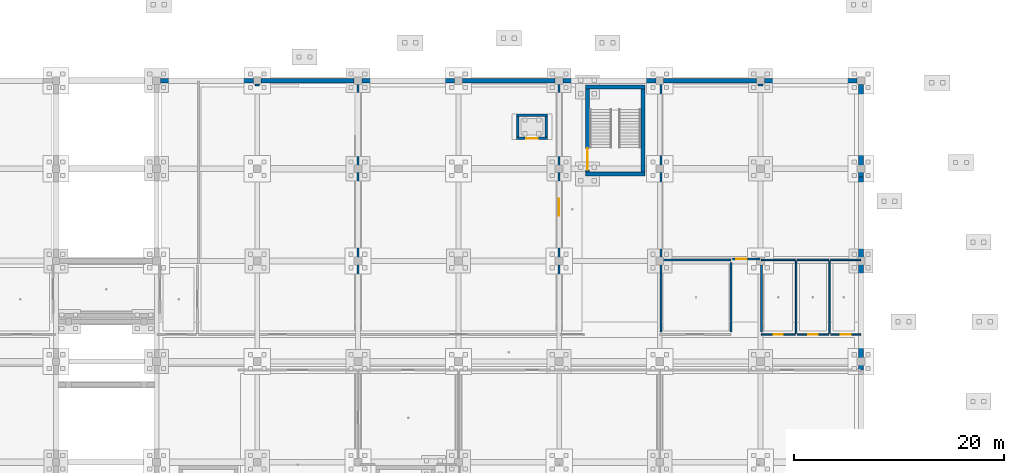
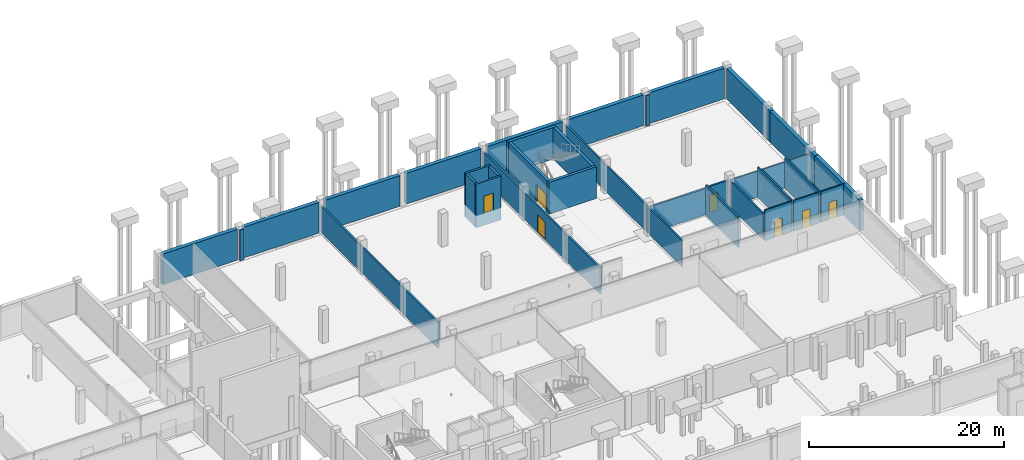
# One storey, part 17 of 31: 36 walls, 7 doors, 7 openings.
"""IFC4 building model written with IfcOpenShell, lengths in metres."""

from ifc_helpers import new_model, si_unit, direction, frame, frame_2d, origin, place, context, subcontext, project, spatial, rectangle, extrude, material, layer, layer_set, type_object, element, fill, save


model = new_model("IFC4")

# Units and contexts
model_context = context("Model", 3, precision=1e-05, world=origin(), true_north=direction((0.0, 1.0)))
body_context = subcontext(model_context, "Body", "Model", "MODEL_VIEW")
ifc_project = project(units=[si_unit("LENGTHUNIT", "METRE"), si_unit("AREAUNIT", "SQUARE_METRE"), si_unit("VOLUMEUNIT", "CUBIC_METRE"), si_unit("PLANEANGLEUNIT", "RADIAN"), si_unit("MASSUNIT", "GRAM", prefix="KILO")], contexts=[model_context])

# Site, building, storey
site_placement = place(None, origin())
site = spatial("IfcSite", under=ifc_project, at=site_placement, CompositionType="ELEMENT")
building_placement = place(site_placement, origin())
building = spatial("IfcBuilding", under=site, at=building_placement, Name="Chalmorin Arch Market", CompositionType="ELEMENT")
storey_placement = place(building_placement, frame((0.0, 0.0, -4.199951171875)))
storey = spatial("IfcBuildingStorey", under=building, at=storey_placement, Name="B1", CompositionType="ELEMENT", Elevation=-4.199951171875)

# Walls
ifc_material_1 = material(Name="Concrete C40/50", Category="concrete")
ifc_layer_1 = layer(ifc_material_1, 0.449951171875)
ifc_layer_set_1 = layer_set([ifc_layer_1], Name="Concrete C40/50")
wall_type_1 = type_object("IfcWallType", Name="BasementFloodwall-450", PredefinedType="SOLIDWALL", material=ifc_layer_set_1)
wall_1_placement = place(storey_placement, frame((115.199951171875, 90.39990234375, 0.0), z_axis=(0.0, 0.0, 1.0), x_axis=(0.0, 1.0, 0.0)))
element("IfcWall", 1, at=wall_1_placement, inside=storey, type_object=wall_type_1, Name="BFW-450-056", PredefinedType="SOLIDWALL", context=body_context, shape_type="SweptSolid", body=[
    extrude(rectangle(XDim=9.2001953125, YDim=0.449951171875, at=frame_2d((4.60009765625, 0.0))), origin(), (0.0, 0.0, 1.0), 3.83984375),
])
wall_2_placement = place(storey_placement, frame((115.199951171875, 99.60009765625, 0.0), z_axis=(0.0, 0.0, 1.0), x_axis=(0.0, 1.0, 0.0)))
element("IfcWall", 2, at=wall_2_placement, inside=storey, type_object=wall_type_1, Name="BFW-450-057", PredefinedType="SOLIDWALL", context=body_context, shape_type="SweptSolid", body=[
    extrude(rectangle(XDim=9.199951171875, YDim=0.449951171875, at=frame_2d((4.60009765625, 0.0))), origin(), (0.0, 0.0, 1.0), 3.83984375),
])
wall_3_placement = place(storey_placement, frame((115.199951171875, 108.800048828125, 0.0), z_axis=(0.0, 0.0, 1.0), x_axis=(0.0, 1.0, 0.0)))
element("IfcWall", 3, at=wall_3_placement, inside=storey, type_object=wall_type_1, Name="BFW-450-058", PredefinedType="SOLIDWALL", context=body_context, shape_type="SweptSolid", body=[
    extrude(rectangle(XDim=8.824951171875, YDim=0.449951171875, at=frame_2d((4.41259765625, 0.0))), origin(), (0.0, 0.0, 1.0), 3.83984375),
])
wall_4_placement = place(storey_placement, frame((114.824951171875, 118.0, 0.0), z_axis=(0.0, 0.0, 1.0), x_axis=(-1.0, 0.0, 0.0)))
element("IfcWall", 4, at=wall_4_placement, inside=storey, type_object=wall_type_1, Name="BFW-450-059", PredefinedType="SOLIDWALL", context=body_context, shape_type="SweptSolid", body=[
    extrude(rectangle(XDim=8.849853515625, YDim=0.449951171875, at=frame_2d((4.4248046875, 0.0))), origin(), (0.0, 0.0, 1.0), 3.83984375),
])
for number, where, z_axis, x_axis, name in (
    (5, (105.22509765625, 118.0, 0.0), (0.0, 0.0, 1.0), (-1.0, 0.0, 0.0), "BFW-450-060"),
    (6, (95.625, 118.0, 0.0), (0.0, 0.0, 1.0), (-1.0, 0.0, 0.0), "BFW-450-061"),
):
    element("IfcWall", number, at=place(storey_placement, frame(where, z_axis=z_axis, x_axis=x_axis)), inside=storey, type_object=wall_type_1, Name=name, PredefinedType="SOLIDWALL", context=body_context, shape_type="SweptSolid", body=[
        extrude(rectangle(XDim=8.85009765625, YDim=0.449951171875, at=frame_2d((4.425048828125, 0.0))), origin(), (0.0, 0.0, 1.0), 3.83984375),
    ])
wall_5_placement = place(storey_placement, frame((86.02490234375, 118.0, 0.0), z_axis=(0.0, 0.0, 1.0), x_axis=(-1.0, 0.0, 0.0)))
element("IfcWall", 7, at=wall_5_placement, inside=storey, type_object=wall_type_1, Name="BFW-450-062", PredefinedType="SOLIDWALL", context=body_context, shape_type="SweptSolid", body=[
    extrude(rectangle(XDim=8.849853515625, YDim=0.449951171875, at=frame_2d((4.4248046875, 0.0))), origin(), (0.0, 0.0, 1.0), 3.83984375),
])
wall_6_placement = place(storey_placement, frame((76.425048828125, 118.0, 0.0), z_axis=(0.0, 0.0, 1.0), x_axis=(-1.0, 0.0, 0.0)))
element("IfcWall", 8, at=wall_6_placement, inside=storey, type_object=wall_type_1, Name="BFW-450-063", PredefinedType="SOLIDWALL", context=body_context, shape_type="SweptSolid", body=[
    extrude(rectangle(XDim=8.85009765625, YDim=0.449951171875, at=frame_2d((4.425048828125, 0.0))), origin(), (0.0, 0.0, 1.0), 3.83984375),
])
wall_7_placement = place(storey_placement, frame((66.824951171875, 118.0, 0.0), z_axis=(0.0, 0.0, 1.0), x_axis=(-1.0, 0.0, 0.0)))
element("IfcWall", 9, at=wall_7_placement, inside=storey, type_object=wall_type_1, Name="BFW-450-064", PredefinedType="SOLIDWALL", context=body_context, shape_type="SweptSolid", body=[
    extrude(rectangle(XDim=8.849853515625, YDim=0.449951171875, at=frame_2d((4.4248046875, 0.0))), origin(), (0.0, 0.0, 1.0), 3.83984375),
])
wall_8_placement = place(storey_placement, frame((57.22509765625, 118.0, 0.0), z_axis=(0.0, 0.0, 1.0), x_axis=(-1.0, 0.0, 0.0)))
element("IfcWall", 10, at=wall_8_placement, inside=storey, type_object=wall_type_1, Name="BFW-450-065", PredefinedType="SOLIDWALL", context=body_context, shape_type="SweptSolid", body=[
    extrude(rectangle(XDim=8.85009765625, YDim=0.449951171875, at=frame_2d((4.425048828125, 0.0))), origin(), (0.0, 0.0, 1.0), 3.83984375),
])
ifc_layer_2 = layer(ifc_material_1, 0.35009765625)
ifc_layer_set_2 = layer_set([ifc_layer_2], Name="Concrete C40/50")
wall_type_2 = type_object("IfcWallType", Name="CoreShearWall-350", PredefinedType="SHEAR", material=ifc_layer_set_2)
for number, where, z_axis, x_axis, name in (
    (11, (94.574951171875, 109.10009765625, 0.0), (0.0, 0.0, 1.0), (-1.0, 0.0, 0.0), "CSW-350-085"),
    (12, (88.925048828125, 117.39990234375, 0.0), (0.0, 0.0, 1.0), (1.0, 0.0, 0.0), "CSW-350-086"),
):
    element("IfcWall", number, at=place(storey_placement, frame(where, z_axis=z_axis, x_axis=x_axis)), inside=storey, type_object=wall_type_2, Name=name, PredefinedType="SHEAR", context=body_context, shape_type="SweptSolid", body=[
        extrude(rectangle(XDim=5.64990234375, YDim=0.35009765625, at=frame_2d((2.824951171875, 0.0))), origin(), (0.0, 0.0, 1.0), 3.949951171875),
    ])

# Wall, opening, door
wall_9_placement = place(storey_placement, frame((89.10009765625, 109.27490234375, 0.0), z_axis=(0.0, 0.0, 1.0), x_axis=(0.0, 1.0, 0.0)))
wall_9 = element("IfcWall", 13, at=wall_9_placement, inside=storey, type_object=wall_type_2, Name="CSW-350-087", PredefinedType="SHEAR", context=body_context, shape_type="SweptSolid", body=[
    extrude(rectangle(XDim=7.9501953125, YDim=0.35009765625, at=frame_2d((3.97509765625, 0.0))), origin(), (0.0, 0.0, 1.0), 3.949951171875),
])
opening_1_placement = place(wall_9_placement, frame((0.219970703125, 0.0, 0.0)))
opening_1 = element("IfcOpeningElement", 14, at=opening_1_placement, cuts=wall_9, Name="Opening FD-SC6-B1", PredefinedType="OPENING", context=body_context, shape_type="SweptSolid", body=[
    extrude(rectangle(XDim=2.050048828125, YDim=2.14990234375, at=frame_2d((1.02490234375, 1.074951171875))), frame((0.0, 0.18505859375, 0.0), z_axis=(0.0, -1.0, 0.0), x_axis=(1.0, 0.0, 0.0)), (0.0, 0.0, 1.0), 0.3701171875),
])
ifc_material_2 = material(Name="Galvanised Steel", Category="steel")
door_type_1 = type_object("IfcDoorType", Name="DoubleFireExitDoor-2050x2150", OperationType="DOUBLE_DOOR_SINGLE_SWING", PredefinedType="DOOR", material=ifc_material_2)
door_1_placement = place(opening_1_placement, origin())
door_1 = element("IfcDoor", 15, at=door_1_placement, inside=storey, type_object=door_type_1, Name="FD-SC6-B1", OperationType="DOUBLE_DOOR_SINGLE_SWING", OverallHeight=2.14990234375, OverallWidth=2.050048828125, PredefinedType="DOOR", context=body_context, shape_type="SweptSolid", body=[
    extrude(rectangle(XDim=2.050048828125, YDim=2.14990234375, at=frame_2d((1.02490234375, 1.074951171875))), frame((0.0, 0.02490234375, 0.0), z_axis=(0.0, -1.0, 0.0), x_axis=(1.0, 0.0, 0.0)), (0.0, 0.0, 1.0), 0.050048828125),
])
fill(opening_1, door_1)

# Wall
wall_10_placement = place(storey_placement, frame((94.39990234375, 117.22509765625, 0.0), z_axis=(0.0, 0.0, 1.0), x_axis=(0.0, -1.0, 0.0)))
element("IfcWall", 16, at=wall_10_placement, inside=storey, type_object=wall_type_2, Name="CSW-350-088", PredefinedType="SHEAR", context=body_context, shape_type="SweptSolid", body=[
    extrude(rectangle(XDim=7.9501953125, YDim=0.35009765625, at=frame_2d((3.97509765625, 0.0))), origin(), (0.0, 0.0, 1.0), 3.949951171875),
])

# Wall, opening, door
ifc_material_3 = material(Name="Concrete C30/37", Category="concrete")
ifc_layer_3 = layer(ifc_material_3, 0.199951171875)
ifc_layer_set_3 = layer_set([ifc_layer_3], Name="Concrete C30/37")
wall_type_3 = type_object("IfcWallType", Name="FireCompartmentWall-200", PredefinedType="PARTITIONING", material=ifc_layer_set_3)
wall_11_placement = place(storey_placement, frame((86.39990234375, 93.89990234375, 0.0), z_axis=(0.0, 0.0, 1.0), x_axis=(0.0, 1.0, 0.0)))
wall_11 = element("IfcWall", 17, at=wall_11_placement, inside=storey, type_object=wall_type_3, Name="FCW-200-340", PredefinedType="PARTITIONING", context=body_context, shape_type="SweptSolid", body=[
    extrude(rectangle(XDim=24.050048828125, YDim=0.199951171875, at=frame_2d((12.02490234375, 0.0))), origin(), (0.0, 0.0, 1.0), 3.294921875),
])
opening_2_placement = place(wall_11_placement, frame((11.22509765625, 0.0, 0.0)))
opening_2 = element("IfcOpeningElement", 18, at=opening_2_placement, cuts=wall_11, Name="Opening ID-088", PredefinedType="OPENING", context=body_context, shape_type="SweptSolid", body=[
    extrude(rectangle(XDim=1.60009765625, YDim=2.199951171875, at=frame_2d((0.800048828125, 1.10009765625))), frame((0.0, 0.10986328125, 0.0), z_axis=(0.0, -1.0, 0.0), x_axis=(1.0, 0.0, 0.0)), (0.0, 0.0, 1.0), 0.219970703125),
])
door_type_2 = type_object("IfcDoorType", Name="PlantRoomDoubleSteelDoor-1600x2200", OperationType="DOUBLE_DOOR_SINGLE_SWING", PredefinedType="DOOR", material=ifc_material_2)
door_2_placement = place(opening_2_placement, origin())
door_2 = element("IfcDoor", 19, at=door_2_placement, inside=storey, type_object=door_type_2, Name="ID-088", OperationType="DOUBLE_DOOR_SINGLE_SWING", OverallHeight=2.199951171875, OverallWidth=1.60009765625, PredefinedType="DOOR", context=body_context, shape_type="SweptSolid", body=[
    extrude(rectangle(XDim=1.60009765625, YDim=2.199951171875, at=frame_2d((0.800048828125, 1.10009765625))), frame((0.0, 0.02490234375, 0.0), z_axis=(0.0, -1.0, 0.0), x_axis=(1.0, 0.0, 0.0)), (0.0, 0.0, 1.0), 0.050048828125),
])
fill(opening_2, door_2)

# Walls
wall_12_placement = place(storey_placement, frame((67.199951171875, 93.89990234375, 0.0), z_axis=(0.0, 0.0, 1.0), x_axis=(0.0, 1.0, 0.0)))
element("IfcWall", 20, at=wall_12_placement, inside=storey, type_object=wall_type_3, Name="FCW-200-341", PredefinedType="PARTITIONING", context=body_context, shape_type="SweptSolid", body=[
    extrude(rectangle(XDim=24.050048828125, YDim=0.199951171875, at=frame_2d((12.02490234375, 0.0))), origin(), (0.0, 0.0, 1.0), 3.2548828125),
])
wall_13_placement = place(storey_placement, frame((95.949951171875, 100.89990234375, 0.0), z_axis=(0.0, 0.0, 1.0), x_axis=(1.0, 0.0, 0.0)))
element("IfcWall", 21, at=wall_13_placement, inside=storey, type_object=wall_type_3, Name="FCW-200-342", PredefinedType="PARTITIONING", context=body_context, shape_type="SweptSolid", body=[
    extrude(rectangle(XDim=6.85009765625, YDim=0.199951171875, at=frame_2d((3.425048828125, 0.0))), origin(), (0.0, 0.0, 1.0), 3.2919921875),
])
wall_14_placement = place(storey_placement, frame((57.364990234375, 117.60009765625, 0.0), z_axis=(0.0, 0.0, 1.0), x_axis=(1.0, 0.0, 0.0)))
element("IfcWall", 22, at=wall_14_placement, inside=storey, type_object=wall_type_3, Name="FCW-200-368", PredefinedType="PARTITIONING", context=body_context, shape_type="SweptSolid", body=[
    extrude(rectangle(XDim=0.469970703125, YDim=0.199951171875, at=frame_2d((0.23486328125, 0.0))), origin(), (0.0, 0.0, 1.0), 3.83984375),
])

# Wall, opening, door
wall_15_placement = place(storey_placement, frame((102.93994140625, 101.0, 0.0), z_axis=(0.0, 0.0, 1.0), x_axis=(1.0, 0.0, 0.0)))
wall_15 = element("IfcWall", 23, at=wall_15_placement, inside=storey, type_object=wall_type_3, Name="FCW-200-370", PredefinedType="PARTITIONING", context=body_context, shape_type="SweptSolid", body=[
    extrude(rectangle(XDim=2.6201171875, YDim=0.199951171875, at=frame_2d((1.31005859375, 0.0))), origin(), (0.0, 0.0, 1.0), 3.2919921875),
])
opening_3_placement = place(wall_15_placement, frame((0.360107421875, 0.0, 0.0)))
opening_3 = element("IfcOpeningElement", 24, at=opening_3_placement, cuts=wall_15, Name="Opening ID-100", PredefinedType="OPENING", context=body_context, shape_type="SweptSolid", body=[
    extrude(rectangle(XDim=1.0, YDim=2.14990234375, at=frame_2d((0.5, 1.074951171875))), frame((0.0, 0.10986328125, 0.0), z_axis=(0.0, -1.0, 0.0), x_axis=(1.0, 0.0, 0.0)), (0.0, 0.0, 1.0), 0.219970703125),
])
ifc_material_4 = material(Name="Oak Engineered Timber", Category="wood")
door_type_3 = type_object("IfcDoorType", Name="ClassroomAcousticDoor-1000x2150", OperationType="NOTDEFINED", PredefinedType="DOOR", material=ifc_material_4)
door_3_placement = place(opening_3_placement, origin())
door_3 = element("IfcDoor", 25, at=door_3_placement, inside=storey, type_object=door_type_3, Name="ID-100", OperationType="SINGLE_SWING_RIGHT", OverallHeight=2.14990234375, OverallWidth=1.0, PredefinedType="DOOR", context=body_context, shape_type="SweptSolid", body=[
    extrude(rectangle(XDim=1.0, YDim=2.14990234375, at=frame_2d((0.5, 1.074951171875))), frame((0.0, 0.02490234375, 0.0), z_axis=(0.0, -1.0, 0.0), x_axis=(1.0, 0.0, 0.0)), (0.0, 0.0, 1.0), 0.050048828125),
])
fill(opening_3, door_3)

# Walls
wall_16_placement = place(storey_placement, frame((105.364990234375, 117.60009765625, 0.0), z_axis=(0.0, 0.0, 1.0), x_axis=(1.0, 0.0, 0.0)))
element("IfcWall", 26, at=wall_16_placement, inside=storey, type_object=wall_type_3, Name="FCW-200-371", PredefinedType="PARTITIONING", context=body_context, shape_type="SweptSolid", body=[
    extrude(rectangle(XDim=0.469970703125, YDim=0.199951171875, at=frame_2d((0.23486328125, 0.0))), origin(), (0.0, 0.0, 1.0), 3.83984375),
])
wall_17_placement = place(storey_placement, frame((96.10009765625, 101.139892578125, 0.0), z_axis=(0.0, 0.0, 1.0), x_axis=(0.0, 1.0, 0.0)))
element("IfcWall", 27, at=wall_17_placement, inside=storey, type_object=wall_type_3, Name="FCW-200-372", PredefinedType="PARTITIONING", context=body_context, shape_type="SweptSolid", body=[
    extrude(rectangle(XDim=16.81005859375, YDim=0.199951171875, at=frame_2d((8.405029296875, 0.0))), origin(), (0.0, 0.0, 1.0), 3.294921875),
])
wall_18_placement = place(storey_placement, frame((96.10009765625, 94.0400390625, 0.0), z_axis=(0.0, 0.0, 1.0), x_axis=(0.0, 1.0, 0.0)))
element("IfcWall", 28, at=wall_18_placement, inside=storey, type_object=wall_type_3, Name="FCW-200-373", PredefinedType="PARTITIONING", context=body_context, shape_type="SweptSolid", body=[
    extrude(rectangle(XDim=6.619873046875, YDim=0.199951171875, at=frame_2d((3.31005859375, 0.0))), origin(), (0.0, 0.0, 1.0), 3.294921875),
])
wall_19_placement = place(storey_placement, frame((102.800048828125, 94.0400390625, 0.0), z_axis=(0.0, 0.0, 1.0), x_axis=(0.0, 1.0, 0.0)))
element("IfcWall", 29, at=wall_19_placement, inside=storey, type_object=wall_type_3, Name="FCW-200-374", PredefinedType="PARTITIONING", context=body_context, shape_type="SweptSolid", body=[
    extrude(rectangle(XDim=6.619873046875, YDim=0.199951171875, at=frame_2d((3.31005859375, 0.0))), origin(), (0.0, 0.0, 1.0), 3.83984375),
])

# Wall, opening, door
ifc_material_5 = material(Name="Concrete C35/45", Category="concrete")
ifc_layer_4 = layer(ifc_material_5, 0.25)
ifc_layer_set_4 = layer_set([ifc_layer_4], Name="Concrete C35/45")
wall_type_4 = type_object("IfcWallType", Name="ShaftEnclosureWall-250", PredefinedType="SOLIDWALL", material=ifc_layer_set_4)
wall_20_placement = place(storey_placement, frame((85.27490234375, 112.5, -1.5), z_axis=(0.0, 0.0, 1.0), x_axis=(-1.0, 0.0, 0.0)))
wall_20 = element("IfcWall", 30, at=wall_20_placement, inside=storey, type_object=wall_type_4, Name="SEW-250-194", PredefinedType="SOLIDWALL", context=body_context, shape_type="SweptSolid", body=[
    extrude(rectangle(XDim=2.949951171875, YDim=0.25, at=frame_2d((1.47509765625, 0.0))), origin(), (0.0, 0.0, 1.0), 5.449951171875),
])
opening_4_placement = place(wall_20_placement, frame((0.925048828125, 0.0, 1.5)))
opening_4 = element("IfcOpeningElement", 31, at=opening_4_placement, cuts=wall_20, Name="Opening LD-LF-FF2-B1", PredefinedType="OPENING", context=body_context, shape_type="SweptSolid", body=[
    extrude(rectangle(XDim=1.10009765625, YDim=2.14990234375, at=frame_2d((0.550048828125, 1.074951171875))), frame((0.0, 0.135009765625, 0.0), z_axis=(0.0, -1.0, 0.0), x_axis=(1.0, 0.0, 0.0)), (0.0, 0.0, 1.0), 0.27001953125),
])
ifc_material_6 = material(Name="Stainless Steel 316", Category="steel")
door_type_4 = type_object("IfcDoorType", Name="LiftLandingSlidingDoor-1100x2150", OperationType="DOUBLE_DOOR_SLIDING", PredefinedType="DOOR", material=ifc_material_6)
door_4_placement = place(opening_4_placement, origin())
door_4 = element("IfcDoor", 32, at=door_4_placement, inside=storey, type_object=door_type_4, Name="LD-LF-FF2-B1", OperationType="DOUBLE_DOOR_SLIDING", OverallHeight=2.14990234375, OverallWidth=1.10009765625, PredefinedType="DOOR", context=body_context, shape_type="SweptSolid", body=[
    extrude(rectangle(XDim=1.10009765625, YDim=2.14990234375, at=frame_2d((0.550048828125, 1.074951171875))), frame((0.0, 0.02490234375, 0.0), z_axis=(0.0, -1.0, 0.0), x_axis=(1.0, 0.0, 0.0)), (0.0, 0.0, 1.0), 0.050048828125),
])
fill(opening_4, door_4)

# Walls
wall_21_placement = place(storey_placement, frame((82.324951171875, 114.699951171875, -1.5), z_axis=(0.0, 0.0, 1.0), x_axis=(1.0, 0.0, 0.0)))
element("IfcWall", 33, at=wall_21_placement, inside=storey, type_object=wall_type_4, Name="SEW-250-195", PredefinedType="SOLIDWALL", context=body_context, shape_type="SweptSolid", body=[
    extrude(rectangle(XDim=2.949951171875, YDim=0.25, at=frame_2d((1.47509765625, 0.0))), origin(), (0.0, 0.0, 1.0), 5.449951171875),
])
for number, where, z_axis, x_axis, name in (
    (34, (82.449951171875, 112.625, -1.5), (0.0, 0.0, 1.0), (0.0, 1.0, 0.0), "SEW-250-196"),
    (35, (85.14990234375, 114.574951171875, -1.5), (0.0, 0.0, 1.0), (0.0, -1.0, 0.0), "SEW-250-197"),
):
    element("IfcWall", number, at=place(storey_placement, frame(where, z_axis=z_axis, x_axis=x_axis)), inside=storey, type_object=wall_type_4, Name=name, PredefinedType="SOLIDWALL", context=body_context, shape_type="SweptSolid", body=[
        extrude(rectangle(XDim=1.949951171875, YDim=0.25, at=frame_2d((0.97509765625, 0.0))), origin(), (0.0, 0.0, 1.0), 5.449951171875),
    ])

# Wall, opening, door
ifc_layer_5 = layer(ifc_material_3, 0.14990234375)
ifc_layer_set_5 = layer_set([ifc_layer_5], Name="Concrete C30/37")
wall_type_5 = type_object("IfcWallType", Name="WetAreaTilePartition-150", PredefinedType="PARTITIONING", material=ifc_layer_set_5)
wall_22_placement = place(storey_placement, frame((105.699951171875, 93.800048828125, 0.0), z_axis=(0.0, 0.0, 1.0), x_axis=(1.0, 0.0, 0.0)))
wall_22 = element("IfcWall", 36, at=wall_22_placement, inside=storey, type_object=wall_type_5, Name="WTP-150-337", PredefinedType="PARTITIONING", context=body_context, shape_type="SweptSolid", body=[
    extrude(rectangle(XDim=3.199951171875, YDim=0.14990234375, at=frame_2d((1.60009765625, 0.0))), origin(), (0.0, 0.0, 1.0), 3.83984375),
])
opening_5_placement = place(wall_22_placement, frame((1.14990234375, 0.0, 0.0)))
opening_5 = element("IfcOpeningElement", 37, at=opening_5_placement, cuts=wall_22, Name="Opening ID-085", PredefinedType="OPENING", context=body_context, shape_type="SweptSolid", body=[
    extrude(rectangle(XDim=0.89990234375, YDim=2.14990234375, at=frame_2d((0.449951171875, 1.074951171875))), frame((0.0, 0.0849609375, 0.0), z_axis=(0.0, -1.0, 0.0), x_axis=(1.0, 0.0, 0.0)), (0.0, 0.0, 1.0), 0.169921875),
])
door_type_5 = type_object("IfcDoorType", Name="RestroomEntryDoor-900x2150", OperationType="NOTDEFINED", PredefinedType="DOOR", material=ifc_material_4)
door_5_placement = place(opening_5_placement, origin())
door_5 = element("IfcDoor", 38, at=door_5_placement, inside=storey, type_object=door_type_5, Name="ID-085", OperationType="SINGLE_SWING_LEFT", OverallHeight=2.14990234375, OverallWidth=0.89990234375, PredefinedType="DOOR", context=body_context, shape_type="SweptSolid", body=[
    extrude(rectangle(XDim=0.89990234375, YDim=2.14990234375, at=frame_2d((0.449951171875, 1.074951171875))), frame((0.0, 0.02490234375, 0.0), z_axis=(0.0, -1.0, 0.0), x_axis=(1.0, 0.0, 0.0)), (0.0, 0.0, 1.0), 0.050048828125),
])
fill(opening_5, door_5)

wall_23_placement = place(storey_placement, frame((109.10009765625, 93.800048828125, 0.0), z_axis=(0.0, 0.0, 1.0), x_axis=(1.0, 0.0, 0.0)))
wall_23 = element("IfcWall", 39, at=wall_23_placement, inside=storey, type_object=wall_type_5, Name="WTP-150-338", PredefinedType="PARTITIONING", context=body_context, shape_type="SweptSolid", body=[
    extrude(rectangle(XDim=3.0, YDim=0.14990234375, at=frame_2d((1.5, 0.0))), origin(), (0.0, 0.0, 1.0), 3.83984375),
])
opening_6_placement = place(wall_23_placement, frame((1.050048828125, 0.0, 0.0)))
opening_6 = element("IfcOpeningElement", 40, at=opening_6_placement, cuts=wall_23, Name="Opening ID-086", PredefinedType="OPENING", context=body_context, shape_type="SweptSolid", body=[
    extrude(rectangle(XDim=0.89990234375, YDim=2.14990234375, at=frame_2d((0.449951171875, 1.074951171875))), frame((0.0, 0.0849609375, 0.0), z_axis=(0.0, -1.0, 0.0), x_axis=(1.0, 0.0, 0.0)), (0.0, 0.0, 1.0), 0.169921875),
])
door_6_placement = place(opening_6_placement, origin())
door_6 = element("IfcDoor", 41, at=door_6_placement, inside=storey, type_object=door_type_5, Name="ID-086", OperationType="SINGLE_SWING_RIGHT", OverallHeight=2.14990234375, OverallWidth=0.89990234375, PredefinedType="DOOR", context=body_context, shape_type="SweptSolid", body=[
    extrude(rectangle(XDim=0.89990234375, YDim=2.14990234375, at=frame_2d((0.449951171875, 1.074951171875))), frame((0.0, 0.02490234375, 0.0), z_axis=(0.0, -1.0, 0.0), x_axis=(1.0, 0.0, 0.0)), (0.0, 0.0, 1.0), 0.050048828125),
])
fill(opening_6, door_6)

wall_24_placement = place(storey_placement, frame((112.300048828125, 93.800048828125, 0.0), z_axis=(0.0, 0.0, 1.0), x_axis=(1.0, 0.0, 0.0)))
wall_24 = element("IfcWall", 42, at=wall_24_placement, inside=storey, type_object=wall_type_5, Name="WTP-150-339", PredefinedType="PARTITIONING", context=body_context, shape_type="SweptSolid", body=[
    extrude(rectangle(XDim=2.849853515625, YDim=0.14990234375, at=frame_2d((1.4248046875, 0.0))), origin(), (0.0, 0.0, 1.0), 3.83984375),
])
opening_7_placement = place(wall_24_placement, frame((0.949951171875, 0.0, 0.0)))
opening_7 = element("IfcOpeningElement", 43, at=opening_7_placement, cuts=wall_24, Name="Opening ID-087", PredefinedType="OPENING", context=body_context, shape_type="SweptSolid", body=[
    extrude(rectangle(XDim=0.949951171875, YDim=2.14990234375, at=frame_2d((0.47509765625, 1.074951171875))), frame((0.0, 0.0849609375, 0.0), z_axis=(0.0, -1.0, 0.0), x_axis=(1.0, 0.0, 0.0)), (0.0, 0.0, 1.0), 0.169921875),
])
door_type_6 = type_object("IfcDoorType", Name="AccessibleWCDoor-950x2150", OperationType="NOTDEFINED", PredefinedType="DOOR", material=ifc_material_4)
door_7_placement = place(opening_7_placement, origin())
door_7 = element("IfcDoor", 44, at=door_7_placement, inside=storey, type_object=door_type_6, Name="ID-087", OperationType="SINGLE_SWING_LEFT", OverallHeight=2.14990234375, OverallWidth=0.949951171875, PredefinedType="DOOR", context=body_context, shape_type="SweptSolid", body=[
    extrude(rectangle(XDim=0.949951171875, YDim=2.14990234375, at=frame_2d((0.47509765625, 1.074951171875))), frame((0.0, 0.02490234375, 0.0), z_axis=(0.0, -1.0, 0.0), x_axis=(1.0, 0.0, 0.0)), (0.0, 0.0, 1.0), 0.050048828125),
])
fill(opening_7, door_7)

# Walls
wall_25_placement = place(storey_placement, frame((105.699951171875, 100.89990234375, 0.0), z_axis=(0.0, 0.0, 1.0), x_axis=(1.0, 0.0, 0.0)))
element("IfcWall", 45, at=wall_25_placement, inside=storey, type_object=wall_type_5, Name="WTP-150-343", PredefinedType="PARTITIONING", context=body_context, shape_type="SweptSolid", body=[
    extrude(rectangle(XDim=3.199951171875, YDim=0.14990234375, at=frame_2d((1.60009765625, 0.0))), origin(), (0.0, 0.0, 1.0), 3.2919921875),
])
wall_26_placement = place(storey_placement, frame((109.10009765625, 100.89990234375, 0.0), z_axis=(0.0, 0.0, 1.0), x_axis=(1.0, 0.0, 0.0)))
element("IfcWall", 46, at=wall_26_placement, inside=storey, type_object=wall_type_5, Name="WTP-150-344", PredefinedType="PARTITIONING", context=body_context, shape_type="SweptSolid", body=[
    extrude(rectangle(XDim=3.0, YDim=0.14990234375, at=frame_2d((1.5, 0.0))), origin(), (0.0, 0.0, 1.0), 3.2919921875),
])
wall_27_placement = place(storey_placement, frame((112.300048828125, 100.89990234375, 0.0), z_axis=(0.0, 0.0, 1.0), x_axis=(1.0, 0.0, 0.0)))
element("IfcWall", 47, at=wall_27_placement, inside=storey, type_object=wall_type_5, Name="WTP-150-345", PredefinedType="PARTITIONING", context=body_context, shape_type="SweptSolid", body=[
    extrude(rectangle(XDim=2.849853515625, YDim=0.14990234375, at=frame_2d((1.4248046875, 0.0))), origin(), (0.0, 0.0, 1.0), 3.2919921875),
])
for number, where, z_axis, x_axis, name in (
    (48, (109.0, 93.89990234375, 0.0), (0.0, 0.0, 1.0), (0.0, 1.0, 0.0), "WTP-150-346"),
    (49, (112.199951171875, 93.89990234375, 0.0), (0.0, 0.0, 1.0), (0.0, 1.0, 0.0), "WTP-150-347"),
):
    element("IfcWall", number, at=place(storey_placement, frame(where, z_axis=z_axis, x_axis=x_axis)), inside=storey, type_object=wall_type_5, Name=name, PredefinedType="PARTITIONING", context=body_context, shape_type="SweptSolid", body=[
        extrude(rectangle(XDim=6.900146484375, YDim=0.14990234375, at=frame_2d((3.4501953125, 0.0))), origin(), (0.0, 0.0, 1.0), 3.83984375),
    ])
wall_28_placement = place(storey_placement, frame((105.699951171875, 94.0400390625, 0.0), z_axis=(0.0, 0.0, 1.0), x_axis=(0.0, 1.0, 0.0)))
element("IfcWall", 50, at=wall_28_placement, inside=storey, type_object=wall_type_5, Name="WTP-150-375", PredefinedType="PARTITIONING", context=body_context, shape_type="SweptSolid", body=[
    extrude(rectangle(XDim=6.619873046875, YDim=0.14990234375, at=frame_2d((3.31005859375, 0.0))), origin(), (0.0, 0.0, 1.0), 3.294921875),
])

save(model, "model.ifc")
